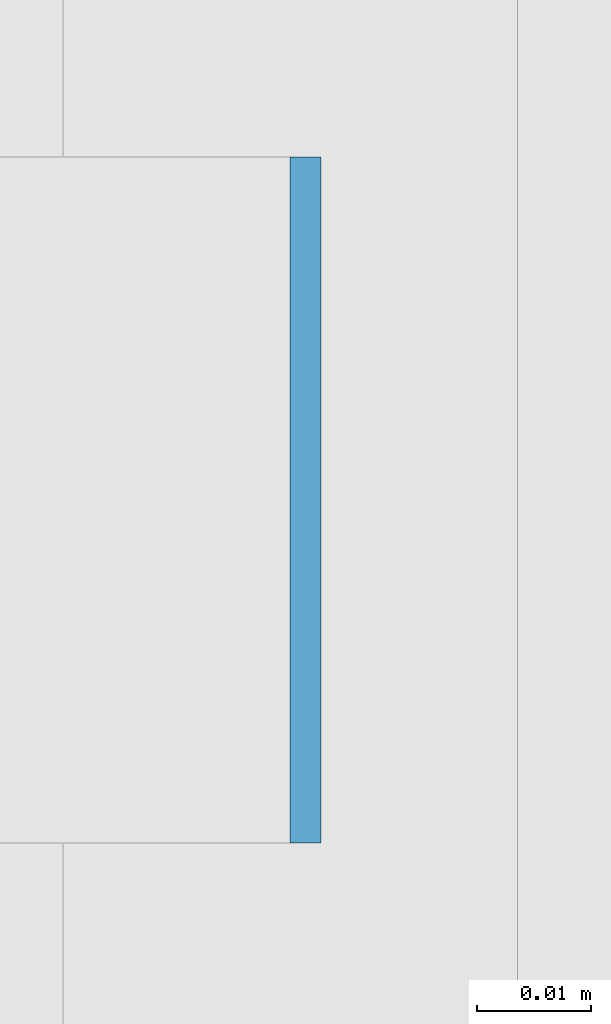
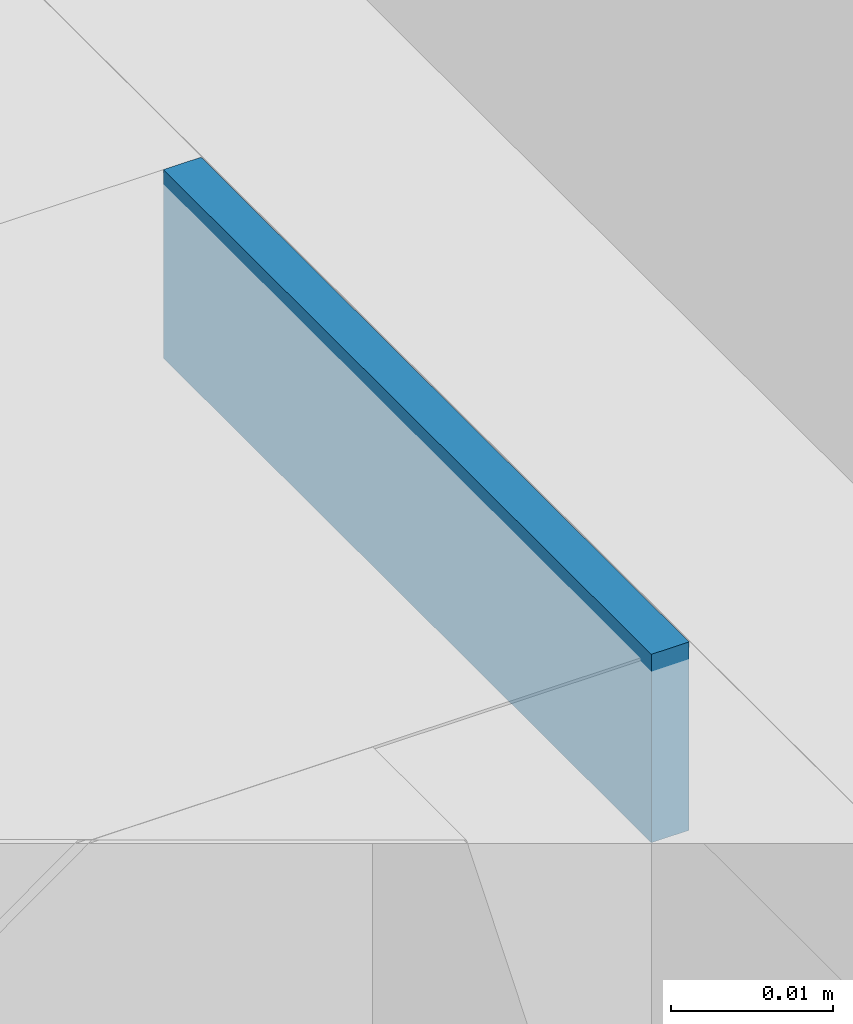
# One storey, part 375 of 646: 1 discrete accessory.
"""IFC4 building model written with IfcOpenShell, lengths in metres."""

from ifc_helpers import new_model, si_unit, direction, frame, origin, origin_2d, place, context, subcontext, project, spatial, rectangle, extrude, material, type_object, element, save


model = new_model("IFC4")

# Units and contexts
model_context = context("Model", 3, precision=1e-05, world=origin(), true_north=direction((0.0, 1.0)))
body_context = subcontext(model_context, "Body", "Model", "MODEL_VIEW")
ifc_project = project(units=[si_unit("LENGTHUNIT", "METRE"), si_unit("AREAUNIT", "SQUARE_METRE"), si_unit("VOLUMEUNIT", "CUBIC_METRE"), si_unit("PLANEANGLEUNIT", "RADIAN"), si_unit("MASSUNIT", "GRAM", prefix="KILO")], contexts=[model_context])

# Site, building, storey
site_placement = place(None, origin())
site = spatial("IfcSite", under=ifc_project, at=site_placement, CompositionType="ELEMENT")
building_placement = place(site_placement, origin())
building = spatial("IfcBuilding", under=site, at=building_placement, Name="Silverbay Arena", CompositionType="ELEMENT")
storey_placement = place(building_placement, frame((0.0, 0.0, 33.5)))
storey = spatial("IfcBuildingStorey", under=building, at=storey_placement, Name="L05", CompositionType="ELEMENT", Elevation=33.5)

# Discrete accessory
ifc_material = material(Name="Steel S355", Category="steel")
discrete_accessory_type = type_object("IfcDiscreteAccessoryType", Name="Steel bracket plate", PredefinedType="BRACKET", material=ifc_material)
discrete_accessory_placement = place(storey_placement, frame((53.871337890625, 105.428466796875, 12.98583984375), z_axis=(0.0, 0.0, 1.0), x_axis=(1.0, 0.0, 0.0)))
element("IfcDiscreteAccessory", 1, at=discrete_accessory_placement, inside=storey, type_object=discrete_accessory_type, Name="Curtain wall packing plate", PredefinedType="BRACKET", context=body_context, shape_type="SweptSolid", body=[
    extrude(rectangle(XDim=0.002685546875, YDim=0.06005859375, at=origin_2d()), origin(), (0.0, 0.0, 1.0), 0.01416015625),
])

save(model, "model.ifc")
